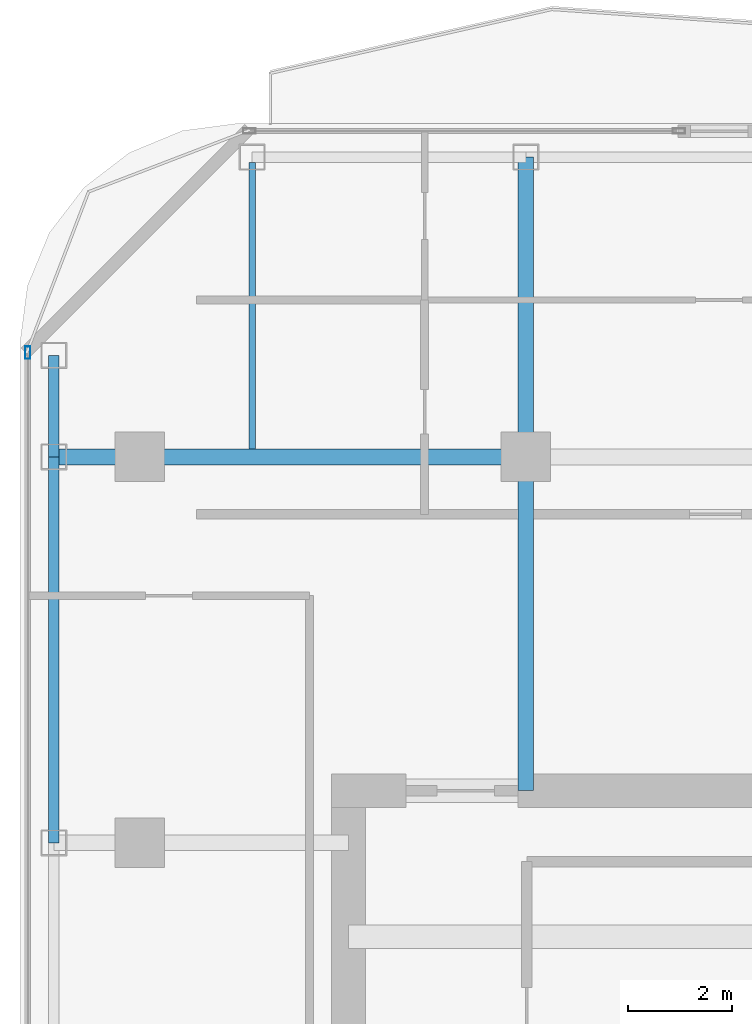
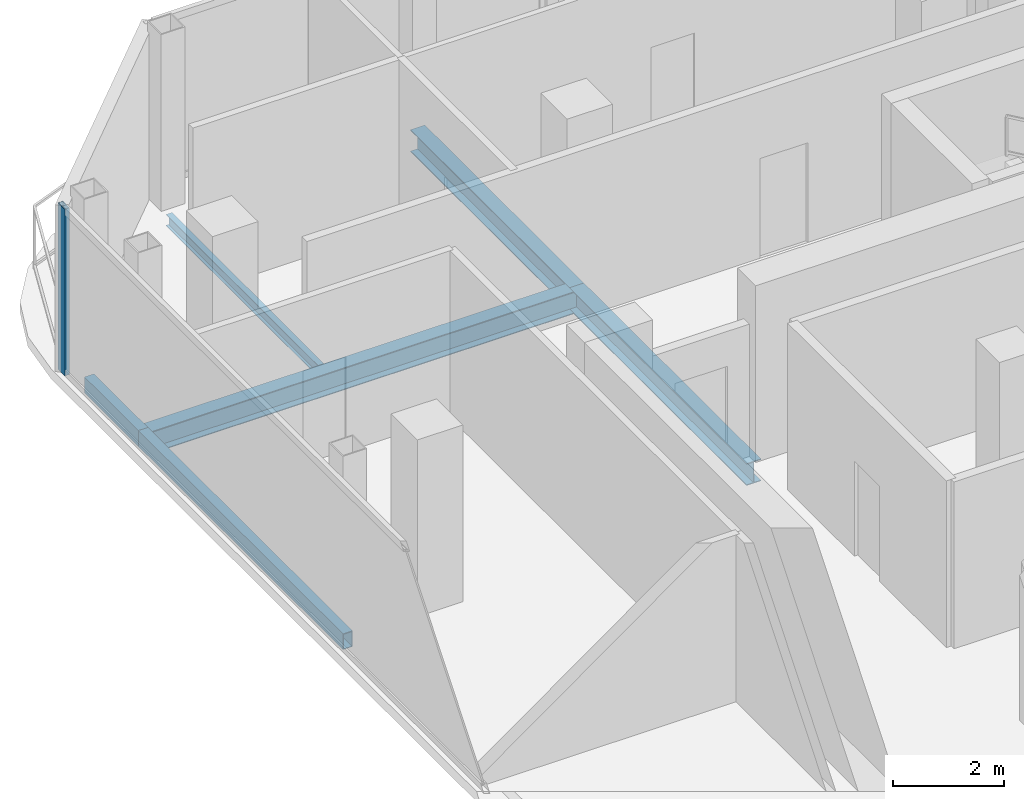
# One storey, part 10 of 22: 6 beams, 1 member, 1 element without a shape of its own.
"""IFC4 building model written with IfcOpenShell, lengths in metres."""

from ifc_helpers import new_model, si_unit, direction, frame, origin, origin_2d, place, context, subcontext, project, spatial, hollow_rectangle, i_section, extrude, material, layer, layer_set, material_profile, profile_set, type_object, element, aggregate, save


model = new_model("IFC4")

# Units and contexts
model_context = context("Model", 3, precision=1e-05, world=origin(), true_north=direction((0.0, 1.0)))
body_context = subcontext(model_context, "Body", "Model", "MODEL_VIEW")
ifc_project = project(units=[si_unit("LENGTHUNIT", "METRE"), si_unit("AREAUNIT", "SQUARE_METRE"), si_unit("VOLUMEUNIT", "CUBIC_METRE"), si_unit("PLANEANGLEUNIT", "RADIAN"), si_unit("MASSUNIT", "GRAM", prefix="KILO")], contexts=[model_context])

# Site, building, storey
site_placement = place(None, origin())
site = spatial("IfcSite", under=ifc_project, at=site_placement, CompositionType="ELEMENT")
building_placement = place(site_placement, origin())
building = spatial("IfcBuilding", under=site, at=building_placement, Name="Khorvyn Point Tower", CompositionType="ELEMENT")
storey_placement = place(building_placement, frame((0.0, 0.0, 278.10009765625)))
storey = spatial("IfcBuildingStorey", under=building, at=storey_placement, Name="L68", CompositionType="ELEMENT", Elevation=278.10009765625)

# Curtain wall, member
ifc_material_1 = material(Name="Anodised aluminium 6063-T6 and laminated Low-E glass", Category="aluminium")
ifc_layer = layer(ifc_material_1, 0.18994140625)
ifc_layer_set = layer_set([ifc_layer], Name="Stick-Built High-Wind Curtain Wall CW-SYS-04")
curtain_wall_type = type_object("IfcCurtainWallType", Name="Stick-Built High-Wind Curtain Wall CW-SYS-04", PredefinedType="NOTDEFINED", material=ifc_layer_set)
curtain_wall_placement = place(storey_placement, origin())
curtain_wall = element("IfcCurtainWall", 1, at=curtain_wall_placement, inside=storey, type_object=curtain_wall_type, Name="Curtain Wall", PredefinedType="NOTDEFINED")
ifc_material_2 = material(Name="Anodised aluminium 6063-T6", Category="aluminium")
ifc_material_profile_1 = material_profile(ifc_material_2, hollow_rectangle(XDim=0.10009765625, YDim=0.239990234375, WallThickness=0.0048828125, at=origin_2d()))
ifc_profile_set_1 = profile_set([ifc_material_profile_1], Name="Anodised aluminium 6063-T6 ALU-MUL-100x240")
member_type = type_object("IfcMemberType", Name="Anodised Aluminium 6063-T6 Mullion ALU-MUL-100x240", PredefinedType="MULLION", material=ifc_profile_set_1)
member_placement = place(storey_placement, frame((-16.949951171875, 16.800048828125, 0.0), z_axis=(0.0, 0.0, 1.0), x_axis=(-1.0, 0.0, 0.0)))
member = element("IfcMember", 2, at=member_placement, type_object=member_type, Name="Transom", PredefinedType="MULLION", context=body_context, shape_type="SweptSolid", body=[
    extrude(hollow_rectangle(XDim=0.10009765625, YDim=0.239990234375, WallThickness=0.0048828125, at=origin_2d()), origin(), (0.0, 0.0, 1.0), 3.679931640625),
])
aggregate(curtain_wall, [member])

# Beams
ifc_material_3 = material(Name="Steel S355", Category="steel")
ifc_material_profile_2 = material_profile(ifc_material_3, i_section(OverallWidth=0.125, OverallDepth=0.25, WebThickness=0.006103515625, FlangeThickness=0.009033203125, at=origin_2d()))
ifc_profile_set_2 = profile_set([ifc_material_profile_2], Name="Steel S355 H250x125x6x9")
beam_type_1 = type_object("IfcBeamType", Name="Steel S355 Joist H250x125x6x9", PredefinedType="JOIST", material=ifc_profile_set_2)
beam_1_placement = place(storey_placement, frame((-12.64990234375, 14.949951171875, -0.34521484375), z_axis=(0.0, 1.0, 0.0), x_axis=(-1.0, 0.0, 0.0)))
element("IfcBeam", 3, at=beam_1_placement, inside=storey, type_object=beam_type_1, Name="Beam", PredefinedType="JOIST", context=body_context, shape_type="SweptSolid", body=[
    extrude(i_section(OverallWidth=0.125, OverallDepth=0.25, WebThickness=0.006103515625, FlangeThickness=0.009033203125, at=origin_2d()), origin(), (0.0, 0.0, 1.0), 5.5),
])
ifc_material_profile_3 = material_profile(ifc_material_3, i_section(OverallWidth=0.300048828125, OverallDepth=0.488037109375, WebThickness=0.010986328125, FlangeThickness=0.01806640625, at=origin_2d()))
ifc_profile_set_3 = profile_set([ifc_material_profile_3], Name="Steel S355 H488x300x11x18")
beam_type_2 = type_object("IfcBeamType", Name="Steel S355 Spandrel H488x300x11x18", PredefinedType="SPANDREL", material=ifc_profile_set_3)
beam_2_placement = place(storey_placement, frame((-16.449951171875, 14.800048828125, -0.464111328125), z_axis=(1.0, 0.0, 0.0), x_axis=(0.0, 1.0, 0.0)))
element("IfcBeam", 4, at=beam_2_placement, inside=storey, type_object=beam_type_2, Name="Beam", PredefinedType="SPANDREL", context=body_context, shape_type="SweptSolid", body=[
    extrude(i_section(OverallWidth=0.300048828125, OverallDepth=0.488037109375, WebThickness=0.010986328125, FlangeThickness=0.01806640625, at=origin_2d()), origin(), (0.0, 0.0, 1.0), 9.050048828125),
])
beam_3_placement = place(storey_placement, frame((-7.39990234375, 8.39990234375, -0.464111328125), z_axis=(0.0, 1.0, 0.0), x_axis=(-1.0, 0.0, 0.0)))
element("IfcBeam", 5, at=beam_3_placement, inside=storey, type_object=beam_type_2, Name="Beam", PredefinedType="SPANDREL", context=body_context, shape_type="SweptSolid", body=[
    extrude(i_section(OverallWidth=0.300048828125, OverallDepth=0.488037109375, WebThickness=0.010986328125, FlangeThickness=0.01806640625, at=origin_2d()), origin(), (0.0, 0.0, 1.0), 6.400146484375),
])
beam_4_placement = place(storey_placement, frame((-7.39990234375, 14.800048828125, -0.464111328125), z_axis=(0.0, 1.0, 0.0), x_axis=(-1.0, 0.0, 0.0)))
element("IfcBeam", 6, at=beam_4_placement, inside=storey, type_object=beam_type_2, Name="Beam", PredefinedType="SPANDREL", context=body_context, shape_type="SweptSolid", body=[
    extrude(i_section(OverallWidth=0.300048828125, OverallDepth=0.488037109375, WebThickness=0.010986328125, FlangeThickness=0.01806640625, at=origin_2d()), origin(), (0.0, 0.0, 1.0), 5.75),
])
ifc_material_profile_4 = material_profile(ifc_material_3, hollow_rectangle(XDim=0.199951171875, YDim=0.35009765625, WallThickness=0.013916015625, at=origin_2d()))
ifc_profile_set_4 = profile_set([ifc_material_profile_4], Name="Steel S355 RHS350x200x14")
beam_type_3 = type_object("IfcBeamType", Name="Steel S355 Spandrel RHS350x200x14", PredefinedType="SPANDREL", material=ifc_profile_set_4)
beam_5_placement = place(storey_placement, frame((-16.449951171875, 7.39990234375, -0.39501953125), z_axis=(0.0, 1.0, 0.0), x_axis=(-1.0, 0.0, 0.0)))
element("IfcBeam", 7, at=beam_5_placement, inside=storey, type_object=beam_type_3, Name="Beam", PredefinedType="SPANDREL", context=body_context, shape_type="SweptSolid", body=[
    extrude(hollow_rectangle(XDim=0.199951171875, YDim=0.35009765625, WallThickness=0.013916015625, at=origin_2d()), origin(), (0.0, 0.0, 1.0), 7.400146484375),
])
beam_6_placement = place(storey_placement, frame((-16.449951171875, 14.800048828125, -0.39501953125), z_axis=(0.0, 1.0, 0.0), x_axis=(-1.0, 0.0, 0.0)))
element("IfcBeam", 8, at=beam_6_placement, inside=storey, type_object=beam_type_3, Name="Beam", PredefinedType="SPANDREL", context=body_context, shape_type="SweptSolid", body=[
    extrude(hollow_rectangle(XDim=0.199951171875, YDim=0.35009765625, WallThickness=0.013916015625, at=origin_2d()), origin(), (0.0, 0.0, 1.0), 1.949951171875),
])

save(model, "model.ifc")
